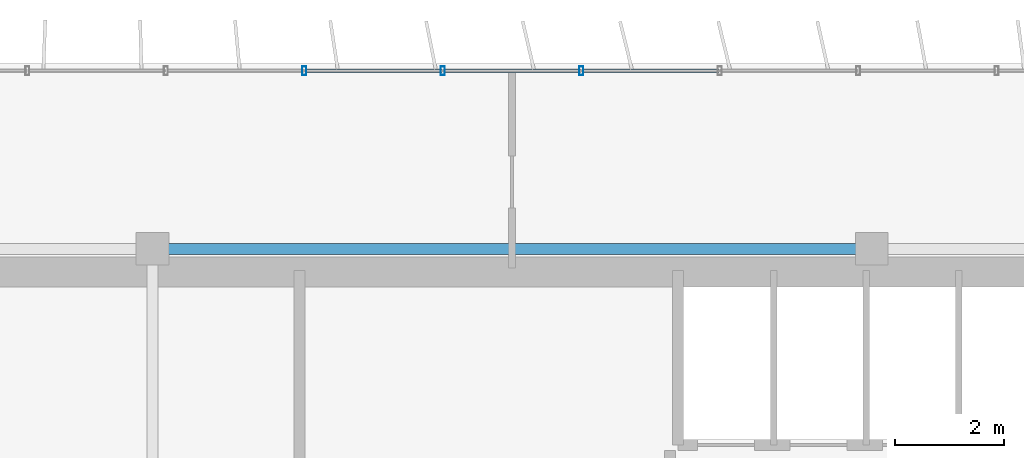
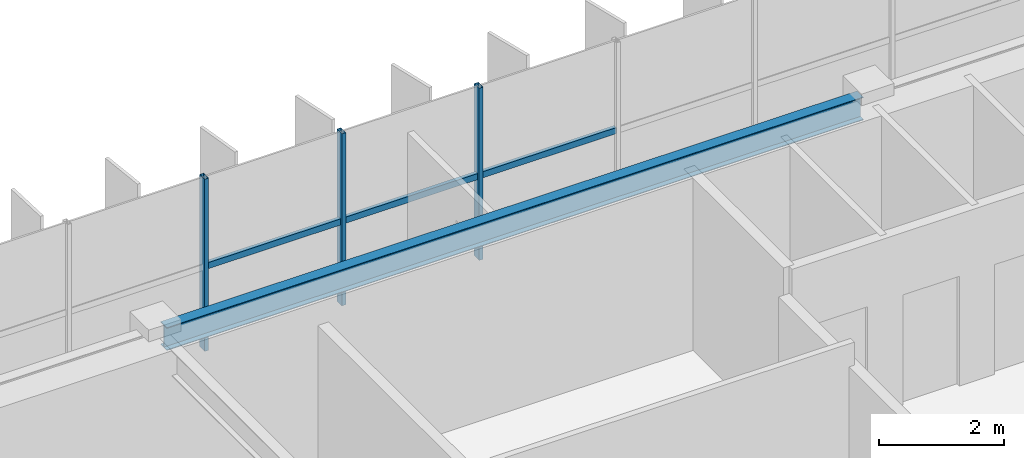
# One storey, part 9 of 23: 6 members, 1 beam, 1 element without a shape of its own.
"""IFC4 building model written with IfcOpenShell, lengths in metres."""

import ifcopenshell
import ifcopenshell.guid

model = None  # the IFC model being written
_history = None  # IfcOwnerHistory: only IFC2X3 demands one
_inside = {}  # id of a spatial element -> (the spatial element, [elements in it])
_under = {}  # id of a project, library or spatial element -> (it, [spatial elements below it])
_declared = {}  # id of a project -> (the project, [libraries it declares])
_typed = {}  # id of a type object -> (the type object, [elements of that type])
_made_of = {}  # id of a material, layer set ... -> (it, [elements and type objects made of it])


def new_model(schema):
    """Start an empty IFC model of exactly this schema.

    Asked for "IFC4X3", IfcOpenShell would pick the latest addendum, in which some entities
    have other attributes; the version numbers below select the first issue.
    IFC2X3 requires an IfcOwnerHistory on every rooted entity: one is made here for all.
    """
    global model, _history
    if schema == "IFC4X3":
        model = ifcopenshell.file(schema_version=(4, 3, 0, 0))
    else:
        model = ifcopenshell.file(schema=schema)
    _inside.clear()
    _under.clear()
    _declared.clear()
    _typed.clear()
    _made_of.clear()
    _history = None
    if model.schema == "IFC2X3":
        org = make("IfcOrganization", Name="unknown")
        user = make(
            "IfcPersonAndOrganization",
            ThePerson=make("IfcPerson", FamilyName="unknown"),
            TheOrganization=org,
        )
        app = make(
            "IfcApplication",
            ApplicationDeveloper=org,
            Version="unknown",
            ApplicationFullName="unknown",
            ApplicationIdentifier="unknown",
        )
        _history = make(
            "IfcOwnerHistory",
            OwningUser=user,
            OwningApplication=app,
            ChangeAction="ADDED",
            CreationDate=0,
        )
    return model


def make(cls, **values):
    """One entity of the class cls with the attributes given. An attribute that is None is left unset."""
    return model.create_entity(
        cls, **{name: value for name, value in values.items() if value is not None}
    )


def rooted(cls, **values):
    """An entity with a GlobalId (a new one), such as an element, a storey or a relation."""
    return make(cls, GlobalId=ifcopenshell.guid.new(), OwnerHistory=_history, **values)


def si_unit(unit_type, name, prefix=None):
    """IfcSIUnit, for example si_unit("LENGTHUNIT", "METRE", prefix="MILLI")."""
    return make("IfcSIUnit", UnitType=unit_type, Prefix=prefix, Name=name)


def assignment(units):
    """IfcUnitAssignment: the units of a project."""
    return None if units is None else make("IfcUnitAssignment", Units=units)


def point(xyz):
    """IfcCartesianPoint."""
    return None if xyz is None else make("IfcCartesianPoint", Coordinates=xyz)


def direction(xyz):
    """IfcDirection."""
    return None if xyz is None else make("IfcDirection", DirectionRatios=xyz)


def frame(location, z_axis=None, x_axis=None):
    """IfcAxis2Placement3D, a coordinate frame: its origin and axes. An axis left out is left unset."""
    return make(
        "IfcAxis2Placement3D",
        Location=point(location),
        Axis=direction(z_axis),
        RefDirection=direction(x_axis),
    )


def frame_2d(location, x_axis=None):
    """IfcAxis2Placement2D, a coordinate frame in the plane: its origin and x axis."""
    return make(
        "IfcAxis2Placement2D", Location=point(location), RefDirection=direction(x_axis)
    )


def origin():
    """The frame at (0, 0, 0) with its axes left unset."""
    return frame((0.0, 0.0, 0.0))


def origin_2d():
    """The frame at (0, 0) in the plane with its x axis left unset."""
    return frame_2d((0.0, 0.0))


def place(relative_to, where):
    """IfcLocalPlacement: puts the frame where relative to a parent placement (None: the world)."""
    return make(
        "IfcLocalPlacement", PlacementRelTo=relative_to, RelativePlacement=where
    )


def context(
    kind, dimensions, precision=None, world=None, true_north=None, identifier=None
):
    """IfcGeometricRepresentationContext, for example the 3D "Model" context."""
    return make(
        "IfcGeometricRepresentationContext",
        ContextIdentifier=identifier,
        ContextType=kind,
        CoordinateSpaceDimension=dimensions,
        Precision=precision,
        WorldCoordinateSystem=world,
        TrueNorth=true_north,
    )


def subcontext(parent, identifier, kind, view, scale=None):
    """IfcGeometricRepresentationSubContext, for example "Body" below "Model"."""
    return make(
        "IfcGeometricRepresentationSubContext",
        ContextIdentifier=identifier,
        ContextType=kind,
        ParentContext=parent,
        TargetScale=scale,
        TargetView=view,
    )


def project(units=None, contexts=None):
    """IfcProject with its units and contexts."""
    return rooted(
        "IfcProject",
        Name="project",
        RepresentationContexts=contexts,
        UnitsInContext=assignment(units),
    )


def spatial(cls, under=None, at=None, **own):
    """A site, building, storey or space (cls), placed at a placement, below another one or the project."""
    s = rooted(cls, ObjectPlacement=at, **own)
    if under is not None:
        _under.setdefault(under.id(), (under, []))[1].append(s)
    return s


def profile(cls, at=None, kind="AREA", **sizes):
    """A parametric profile (cls). Its sizes go by their IFC names, for example OverallWidth=200.0."""
    return make(cls, ProfileType=kind, Position=at, **sizes)


def hollow_rectangle(**sizes):
    """IfcRectangleHollowProfileDef."""
    return profile("IfcRectangleHollowProfileDef", **sizes)


def i_section(**sizes):
    """IfcIShapeProfileDef."""
    return profile("IfcIShapeProfileDef", **sizes)


def extrude(swept, where, along, depth):
    """IfcExtrudedAreaSolid: the profile swept, set in the frame where, extruded along a direction by depth."""
    return make(
        "IfcExtrudedAreaSolid",
        SweptArea=swept,
        Position=where,
        ExtrudedDirection=direction(along),
        Depth=depth,
    )


def shape(context_of_items, identifier, shape_type, items):
    """IfcShapeRepresentation: the items that make up one representation, for example the "Body"."""
    return make(
        "IfcShapeRepresentation",
        ContextOfItems=context_of_items,
        RepresentationIdentifier=identifier,
        RepresentationType=shape_type,
        Items=items,
    )


def source(mapping_origin, context_of_items, identifier, shape_type, items):
    """IfcRepresentationMap: a shape defined once, which mapped items show again and again."""
    return make(
        "IfcRepresentationMap",
        MappingOrigin=mapping_origin,
        MappedRepresentation=shape(context_of_items, identifier, shape_type, items),
    )


def transform(
    local_origin,
    x_axis=None,
    y_axis=None,
    z_axis=None,
    scale=None,
    scale2=None,
    scale3=None,
    uniform=True,
):
    """IfcCartesianTransformationOperator3D, or its non-uniform kind. x_axis, y_axis, z_axis: its Axis1, 2, 3."""
    if uniform:
        return make(
            "IfcCartesianTransformationOperator3D",
            Axis1=direction(x_axis),
            Axis2=direction(y_axis),
            LocalOrigin=point(local_origin),
            Scale=scale,
            Axis3=direction(z_axis),
        )
    return make(
        "IfcCartesianTransformationOperator3DnonUniform",
        Axis1=direction(x_axis),
        Axis2=direction(y_axis),
        LocalOrigin=point(local_origin),
        Scale=scale,
        Axis3=direction(z_axis),
        Scale2=scale2,
        Scale3=scale3,
    )


def mapped(mapping_source, mapping_target):
    """IfcMappedItem: shows the shape of a source again, moved by a transform."""
    return make(
        "IfcMappedItem", MappingSource=mapping_source, MappingTarget=mapping_target
    )


def material(Name=None, Category=None):
    """IfcMaterial."""
    return make("IfcMaterial", Name=Name, Category=Category)


def material_profile(
    of_material, cross_section, Name=None, Category=None, Priority=None
):
    """IfcMaterialProfile: a cross section and its material."""
    return make(
        "IfcMaterialProfile",
        Name=Name,
        Material=of_material,
        Profile=cross_section,
        Priority=Priority,
        Category=Category,
    )


def profile_set(profiles, Name=None, composite=None):
    """IfcMaterialProfileSet."""
    return make(
        "IfcMaterialProfileSet",
        Name=Name,
        MaterialProfiles=profiles,
        CompositeProfile=composite,
    )


def made_of(thing, what):
    """Note that an element or type object is made of a material, layer set ...; save() writes the relation."""
    if what is not None:
        _made_of.setdefault(what.id(), (what, []))[1].append(thing)
    return thing


def type_object(cls, material=None, **own):
    """A type object (cls), such as IfcWallType, which elements share."""
    return made_of(rooted(cls, **own), material)


def element(
    cls,
    number,
    at=None,
    inside=None,
    cuts=None,
    type_object=None,
    material=None,
    context=None,
    identifier="Body",
    shape_type=None,
    held_by="IfcProductDefinitionShape",
    body=None,
    shapes=None,
    **own,
):
    """One element of the class cls, such as IfcWall. Its Tag is "e" and its number.

    at: its placement. inside: the storey or other place that contains it. cuts: it is an
    opening in that element (IfcRelVoidsElement). A single representation is given by context,
    identifier, shape_type and body (its items); several are given by shapes. held_by: the class
    of the entity that holds the representations. save() writes the other relations.
    """
    e = rooted(cls, Tag="e%d" % number, ObjectPlacement=at, **own)
    if body is not None:
        shapes = [shape(context, identifier, shape_type, body)]
    if shapes is not None:
        e.Representation = make(held_by, Representations=shapes)
    if inside is not None:
        _inside.setdefault(inside.id(), (inside, []))[1].append(e)
    if cuts is not None:
        rooted(
            "IfcRelVoidsElement", RelatingBuildingElement=cuts, RelatedOpeningElement=e
        )
    if type_object is not None:
        _typed.setdefault(type_object.id(), (type_object, []))[1].append(e)
    return made_of(e, material)


def aggregate(whole, parts):
    """IfcRelAggregates: a whole, such as a stair, and the parts it consists of."""
    return rooted("IfcRelAggregates", RelatingObject=whole, RelatedObjects=parts)


def save(model, path):
    """Write the relations noted so far, then the file.

    IfcRelAggregates (storeys below a building ...), IfcRelContainedInSpatialStructure (elements
    in a storey), IfcRelDefinesByType, IfcRelAssociatesMaterial and IfcRelDeclares: one each for
    every whole, place, type object, material and project.
    """
    for whole, parts in _under.values():
        aggregate(whole, parts)
    for where, things in _inside.values():
        rooted(
            "IfcRelContainedInSpatialStructure",
            RelatedElements=things,
            RelatingStructure=where,
        )
    for kind, things in _typed.values():
        rooted("IfcRelDefinesByType", RelatedObjects=things, RelatingType=kind)
    for what, things in _made_of.values():
        rooted("IfcRelAssociatesMaterial", RelatedObjects=things, RelatingMaterial=what)
    for by, libraries in _declared.values():
        rooted("IfcRelDeclares", RelatingContext=by, RelatedDefinitions=libraries)
    model.write(path)


model = new_model("IFC4")

# Units and contexts
model_context = context("Model", 3, precision=1e-05, world=origin(), true_north=direction((0.0, 1.0)))
body_context = subcontext(model_context, "Body", "Model", "MODEL_VIEW")
ifc_project = project(units=[si_unit("LENGTHUNIT", "METRE"), si_unit("AREAUNIT", "SQUARE_METRE"), si_unit("VOLUMEUNIT", "CUBIC_METRE"), si_unit("PLANEANGLEUNIT", "RADIAN"), si_unit("MASSUNIT", "GRAM", prefix="KILO")], contexts=[model_context])

# Site, building, storey
site_placement = place(None, origin())
site = spatial("IfcSite", under=ifc_project, at=site_placement, CompositionType="ELEMENT")
building_placement = place(site_placement, origin())
building = spatial("IfcBuilding", under=site, at=building_placement, Name="Trelvane Seafront Commons", CompositionType="ELEMENT")
storey_placement = place(building_placement, frame((0.0, 0.0, 259.5)))
storey = spatial("IfcBuildingStorey", under=building, at=storey_placement, Name="L67", CompositionType="ELEMENT", Elevation=259.5)

# Beam
ifc_material_1 = material(Name="Steel SM355 (S355)", Category="steel")
ifc_material_profile_1 = material_profile(ifc_material_1, i_section(OverallWidth=0.199951171875, OverallDepth=0.449951171875, WebThickness=0.009033203125, FlangeThickness=0.013916015625, at=origin_2d()), Name="H-450x200x9x14")
ifc_profile_set_1 = profile_set([ifc_material_profile_1], Name="Steel SM355 (S355)")
beam_type = type_object("IfcBeamType", Name="STR-SPD-H450", PredefinedType="SPANDREL", material=ifc_profile_set_1)
shared_shape_1 = source(origin(), body_context, "Body", "SweptSolid", [
    extrude(i_section(OverallWidth=0.199951171875, OverallDepth=0.449951171875, WebThickness=0.009033203125, FlangeThickness=0.013916015625, at=origin_2d()), origin(), (0.0, 0.0, 1.0), 12.89990234375),
])
beam_placement = place(storey_placement, frame((30.75, 45.10009765625, 3.14501953125), z_axis=(1.0, 0.0, 0.0), x_axis=(0.0, 1.0, 0.0)))
element("IfcBeam", 1, at=beam_placement, inside=storey, type_object=beam_type, Name="L67 Primary Girder G-25", PredefinedType="SPANDREL", context=body_context, shape_type="MappedRepresentation", body=[
    mapped(shared_shape_1, transform((0.0, 0.0, 0.0), x_axis=(1.0, 0.0, 0.0), y_axis=(0.0, 1.0, 0.0), z_axis=(0.0, 0.0, 1.0), scale=1.0)),
])

# Curtain wall, members
ifc_material_2 = material(Name="Anodised pale-silver aluminium", Category="aluminium")
curtain_wall_type = type_object("IfcCurtainWallType", Name="ARCH-CW5-UPTOWER", PredefinedType="NOTDEFINED", material=ifc_material_2)
curtain_wall_placement = place(storey_placement, origin())
curtain_wall = element("IfcCurtainWall", 2, at=curtain_wall_placement, inside=storey, type_object=curtain_wall_type, Name="CW-L67-0111", PredefinedType="NOTDEFINED")
ifc_material_profile_2 = material_profile(ifc_material_2, hollow_rectangle(XDim=0.070068359375, YDim=0.1201171875, WallThickness=0.00390625, at=origin_2d()), Name="TRAN-70x120x4")
ifc_profile_set_2 = profile_set([ifc_material_profile_2], Name="Anodised pale-silver aluminium")
member_type_1 = type_object("IfcMemberType", Name="ARCH-CW-TRAN-120", PredefinedType="USERDEFINED", material=ifc_profile_set_2)
shared_shape_2 = source(origin(), body_context, "Body", "SweptSolid", [
    extrude(hollow_rectangle(XDim=0.070068359375, YDim=0.1201171875, WallThickness=0.00390625, at=origin_2d()), origin(), (0.0, 0.0, 1.0), 2.51708984375),
])
member_1_placement = place(storey_placement, frame((35.94140625, 48.3701171875, 1.617919921875), z_axis=(1.0, 0.0, 0.0), x_axis=(0.0, 1.0, 0.0)))
member_1 = element("IfcMember", 3, at=member_1_placement, type_object=member_type_1, Name="CW-L67-0111-T08", ObjectType="TRANSOM", PredefinedType="USERDEFINED", context=body_context, shape_type="MappedRepresentation", body=[
    mapped(shared_shape_2, transform((0.0, 0.0, 0.0), x_axis=(1.0, 0.0, 0.0), y_axis=(0.0, 1.0, 0.0), z_axis=(0.0, 0.0, 1.0), scale=1.0)),
])
member_2_placement = place(storey_placement, frame((38.482666015625, 48.3701171875, 1.617919921875), z_axis=(1.0, 0.0, 0.0), x_axis=(0.0, 1.0, 0.0)))
member_2 = element("IfcMember", 4, at=member_2_placement, type_object=member_type_1, Name="CW-L67-0111-T09", ObjectType="TRANSOM", PredefinedType="USERDEFINED", context=body_context, shape_type="MappedRepresentation", body=[
    mapped(shared_shape_2, transform((0.0, 0.0, 0.0), x_axis=(1.0, 0.0, 0.0), y_axis=(0.0, 1.0, 0.0), z_axis=(0.0, 0.0, 1.0), scale=1.0)),
])
shared_shape_3 = source(origin(), body_context, "Body", "SweptSolid", [
    extrude(hollow_rectangle(XDim=0.070068359375, YDim=0.1201171875, WallThickness=0.00390625, at=origin_2d()), origin(), (0.0, 0.0, 1.0), 2.517333984375),
])
member_3_placement = place(storey_placement, frame((33.400146484375, 48.3701171875, 1.617919921875), z_axis=(1.0, 0.0, 0.0), x_axis=(0.0, 1.0, 0.0)))
member_3 = element("IfcMember", 5, at=member_3_placement, type_object=member_type_1, Name="CW-L67-0111-T07", ObjectType="TRANSOM", PredefinedType="USERDEFINED", context=body_context, shape_type="MappedRepresentation", body=[
    mapped(shared_shape_3, transform((0.0, 0.0, 0.0), x_axis=(1.0, 0.0, 0.0), y_axis=(0.0, 1.0, 0.0), z_axis=(0.0, 0.0, 1.0), scale=1.0)),
])
ifc_material_profile_3 = material_profile(ifc_material_2, hollow_rectangle(XDim=0.074951171875, YDim=0.159912109375, WallThickness=0.00390625, at=origin_2d()), Name="MULL-75x160x4")
ifc_profile_set_3 = profile_set([ifc_material_profile_3], Name="Anodised pale-silver aluminium")
member_type_2 = type_object("IfcMemberType", Name="ARCH-CW-MULL-160", PredefinedType="MULLION", material=ifc_profile_set_3)
shared_shape_4 = source(origin(), body_context, "Body", "SweptSolid", [
    extrude(hollow_rectangle(XDim=0.074951171875, YDim=0.159912109375, WallThickness=0.00390625, at=origin_2d()), origin(), (0.0, 0.0, 1.0), 3.3701171875),
])
member_4_placement = place(storey_placement, frame((33.38818359375, 48.3701171875, 0.0), z_axis=(0.0, 0.0, 1.0), x_axis=(1.0, 0.0, 0.0)))
member_4 = element("IfcMember", 6, at=member_4_placement, type_object=member_type_2, Name="CW-L67-0111-M07", PredefinedType="MULLION", context=body_context, shape_type="MappedRepresentation", body=[
    mapped(shared_shape_4, transform((0.0, 0.0, 0.0), x_axis=(1.0, 0.0, 0.0), y_axis=(0.0, 1.0, 0.0), z_axis=(0.0, 0.0, 1.0), scale=1.0)),
])
member_5_placement = place(storey_placement, frame((35.929443359375, 48.3701171875, 0.0), z_axis=(0.0, 0.0, 1.0), x_axis=(1.0, 0.0, 0.0)))
member_5 = element("IfcMember", 7, at=member_5_placement, type_object=member_type_2, Name="CW-L67-0111-M08", PredefinedType="MULLION", context=body_context, shape_type="MappedRepresentation", body=[
    mapped(shared_shape_4, transform((0.0, 0.0, 0.0), x_axis=(1.0, 0.0, 0.0), y_axis=(0.0, 1.0, 0.0), z_axis=(0.0, 0.0, 1.0), scale=1.0)),
])
member_6_placement = place(storey_placement, frame((38.470703125, 48.3701171875, 0.0), z_axis=(0.0, 0.0, 1.0), x_axis=(1.0, 0.0, 0.0)))
member_6 = element("IfcMember", 8, at=member_6_placement, type_object=member_type_2, Name="CW-L67-0111-M09", PredefinedType="MULLION", context=body_context, shape_type="MappedRepresentation", body=[
    mapped(shared_shape_4, transform((0.0, 0.0, 0.0), x_axis=(1.0, 0.0, 0.0), y_axis=(0.0, 1.0, 0.0), z_axis=(0.0, 0.0, 1.0), scale=1.0)),
])
aggregate(curtain_wall, [member_4, member_5, member_6, member_3, member_1, member_2])

save(model, "model.ifc")
